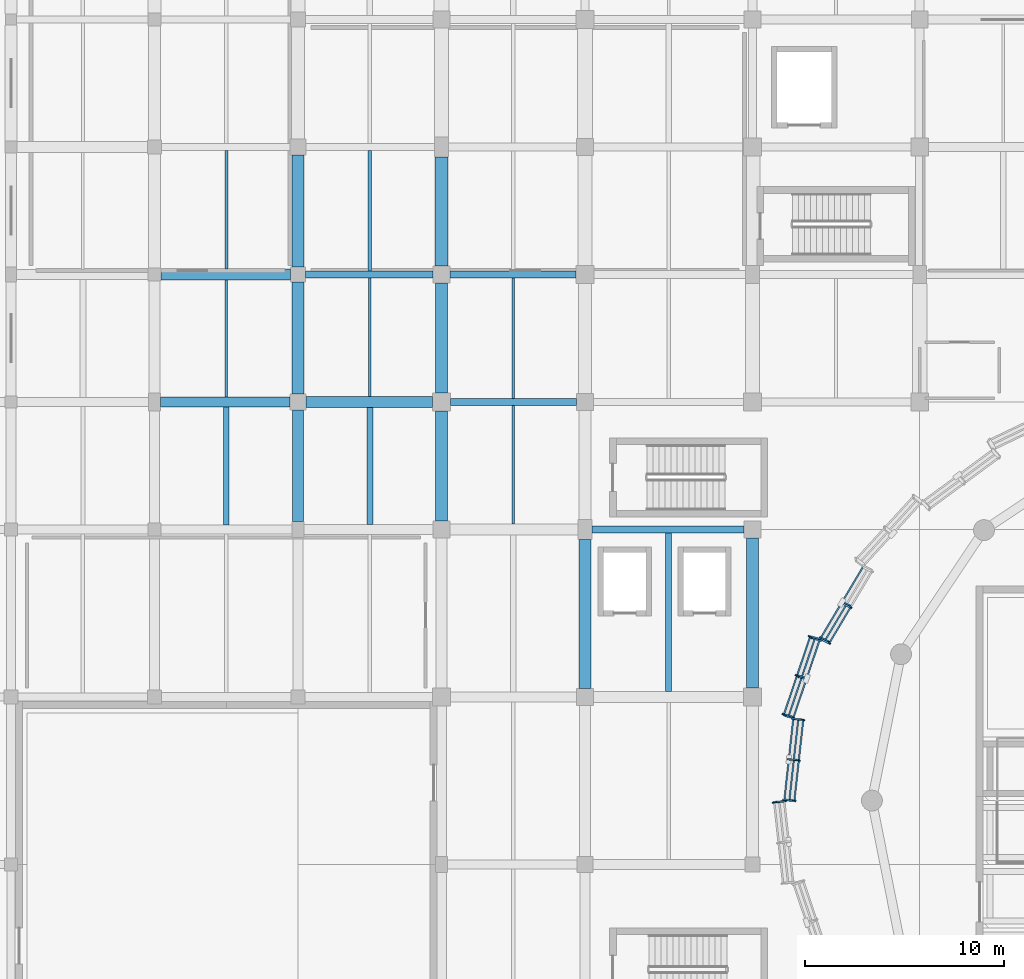
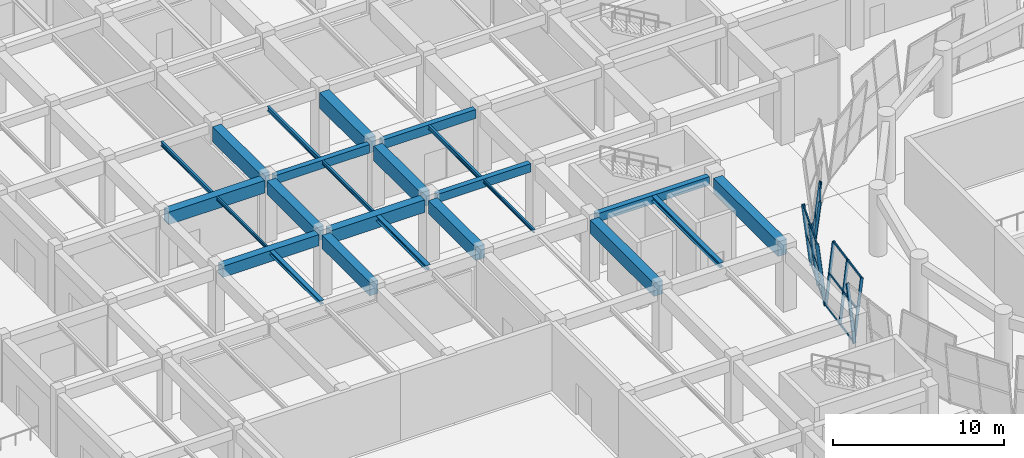
# One storey, part 29 of 72: 25 members, 24 beams, 4 elements without a shape of their own.
"""IFC4 building model written with IfcOpenShell, lengths in metres."""

from ifc_helpers import new_model, si_unit, direction, frame, origin, origin_2d, place, context, subcontext, project, spatial, rectangle, hollow_rectangle, i_section, extrude, material, material_profile, profile_set, type_object, element, aggregate, save


model = new_model("IFC4")

# Units and contexts
model_context = context("Model", 3, precision=1e-05, world=origin(), true_north=direction((0.0, 1.0)))
body_context = subcontext(model_context, "Body", "Model", "MODEL_VIEW")
ifc_project = project(units=[si_unit("LENGTHUNIT", "METRE"), si_unit("AREAUNIT", "SQUARE_METRE"), si_unit("VOLUMEUNIT", "CUBIC_METRE"), si_unit("PLANEANGLEUNIT", "RADIAN"), si_unit("MASSUNIT", "GRAM", prefix="KILO")], contexts=[model_context])

# Site, building, storey
site_placement = place(None, origin())
site = spatial("IfcSite", under=ifc_project, at=site_placement, CompositionType="ELEMENT")
building_placement = place(site_placement, origin())
building = spatial("IfcBuilding", under=site, at=building_placement, Name="Korsvaeld Concert Hall", CompositionType="ELEMENT")
storey_placement = place(building_placement, origin())
storey = spatial("IfcBuildingStorey", under=building, at=storey_placement, Name="L00", CompositionType="ELEMENT", Elevation=0.0)

# Beams
ifc_material_1 = material(Name="Concrete C35/45", Category="concrete")
ifc_material_profile_1 = material_profile(ifc_material_1, rectangle(XDim=0.35009765625, YDim=0.60009765625, at=origin_2d()), Name="RC 350x600")
ifc_profile_set_1 = profile_set([ifc_material_profile_1], Name="Concrete C35/45")
beam_type_1 = type_object("IfcBeamType", Name="BM-RC-350x600", PredefinedType="T_BEAM", material=ifc_profile_set_1)
beam_1_placement = place(storey_placement, frame((50.75, 76.800048828125, 4.139892578125), z_axis=(1.0, 0.0, 0.0), x_axis=(0.0, 1.0, 0.0)))
element("IfcBeam", 1, at=beam_1_placement, inside=storey, type_object=beam_type_1, Name="Primary girder 8-9/L L00", PredefinedType="T_BEAM", context=body_context, shape_type="SweptSolid", body=[
    extrude(rectangle(XDim=0.35009765625, YDim=0.60009765625, at=origin_2d()), origin(), (0.0, 0.0, 1.0), 7.625),
])
beam_2_placement = place(storey_placement, frame((43.64990234375, 83.199951171875, 4.139892578125), z_axis=(1.0, 0.0, 0.0), x_axis=(0.0, 1.0, 0.0)))
element("IfcBeam", 2, at=beam_2_placement, inside=storey, type_object=beam_type_1, Name="Primary girder 7-8/M L00", PredefinedType="T_BEAM", context=body_context, shape_type="SweptSolid", body=[
    extrude(rectangle(XDim=0.35009765625, YDim=0.60009765625, at=origin_2d()), origin(), (0.0, 0.0, 1.0), 6.3251953125),
])
beam_3_placement = place(storey_placement, frame((36.375, 89.60009765625, 4.139892578125), z_axis=(1.0, 0.0, 0.0), x_axis=(0.0, 1.0, 0.0)))
element("IfcBeam", 3, at=beam_3_placement, inside=storey, type_object=beam_type_1, Name="Primary girder 6-7/N L00", PredefinedType="T_BEAM", context=body_context, shape_type="SweptSolid", body=[
    extrude(rectangle(XDim=0.35009765625, YDim=0.60009765625, at=origin_2d()), origin(), (0.0, 0.0, 1.0), 6.39990234375),
])
ifc_material_profile_2 = material_profile(ifc_material_1, rectangle(XDim=0.35009765625, YDim=0.64990234375, at=origin_2d()), Name="RC 350x650")
ifc_profile_set_2 = profile_set([ifc_material_profile_2], Name="Concrete C35/45")
beam_type_2 = type_object("IfcBeamType", Name="BM-RC-350x650", PredefinedType="T_BEAM", material=ifc_profile_set_2)
beam_4_placement = place(storey_placement, frame((43.625, 89.60009765625, 4.114990234375), z_axis=(1.0, 0.0, 0.0), x_axis=(0.0, 1.0, 0.0)))
element("IfcBeam", 4, at=beam_4_placement, inside=storey, type_object=beam_type_2, Name="Primary girder 7-8/N L00", PredefinedType="T_BEAM", context=body_context, shape_type="SweptSolid", body=[
    extrude(rectangle(XDim=0.35009765625, YDim=0.64990234375, at=origin_2d()), origin(), (0.0, 0.0, 1.0), 6.324951171875),
])
ifc_material_2 = material(Name="Concrete C40/50", Category="concrete")
ifc_material_profile_3 = material_profile(ifc_material_2, rectangle(XDim=0.5, YDim=0.800048828125, at=origin_2d()), Name="RC 500x800")
ifc_profile_set_3 = profile_set([ifc_material_profile_3], Name="Concrete C40/50")
beam_type_3 = type_object("IfcBeamType", Name="BM-RC-500x800", PredefinedType="T_BEAM", material=ifc_profile_set_3)
beam_5_placement = place(storey_placement, frame((29.10009765625, 83.199951171875, 4.0400390625), z_axis=(1.0, 0.0, 0.0), x_axis=(0.0, 1.0, 0.0)))
element("IfcBeam", 5, at=beam_5_placement, inside=storey, type_object=beam_type_3, Name="Primary girder 5-6/M L00", PredefinedType="T_BEAM", context=body_context, shape_type="SweptSolid", body=[
    extrude(rectangle(XDim=0.5, YDim=0.800048828125, at=origin_2d()), origin(), (0.0, 0.0, 1.0), 6.5),
])
ifc_material_profile_4 = material_profile(ifc_material_2, rectangle(XDim=0.550048828125, YDim=0.89990234375, at=origin_2d()), Name="RC 550x900")
ifc_profile_set_4 = profile_set([ifc_material_profile_4], Name="Concrete C40/50")
beam_type_4 = type_object("IfcBeamType", Name="BM-RC-550x900", PredefinedType="T_BEAM", material=ifc_profile_set_4)
beam_6_placement = place(storey_placement, frame((36.39990234375, 83.199951171875, 3.989990234375), z_axis=(1.0, 0.0, 0.0), x_axis=(0.0, 1.0, 0.0)))
element("IfcBeam", 6, at=beam_6_placement, inside=storey, type_object=beam_type_4, Name="Primary girder 6-7/M L00", PredefinedType="T_BEAM", context=body_context, shape_type="SweptSolid", body=[
    extrude(rectangle(XDim=0.550048828125, YDim=0.89990234375, at=origin_2d()), origin(), (0.0, 0.0, 1.0), 6.35009765625),
])
beam_7_placement = place(storey_placement, frame((29.125, 89.60009765625, 3.989990234375), z_axis=(1.0, 0.0, 0.0), x_axis=(0.0, 1.0, 0.0)))
element("IfcBeam", 7, at=beam_7_placement, inside=storey, type_object=beam_type_4, Name="Primary girder 5-6/N L00", PredefinedType="T_BEAM", context=body_context, shape_type="SweptSolid", body=[
    extrude(rectangle(XDim=0.550048828125, YDim=0.89990234375, at=origin_2d()), origin(), (0.0, 0.0, 1.0), 6.5),
])
ifc_material_profile_5 = material_profile(ifc_material_2, rectangle(XDim=0.550048828125, YDim=0.949951171875, at=origin_2d()), Name="RC 550x950")
ifc_profile_set_5 = profile_set([ifc_material_profile_5], Name="Concrete C40/50")
beam_type_5 = type_object("IfcBeamType", Name="BM-RC-550x950", PredefinedType="T_BEAM", material=ifc_profile_set_5)
beam_8_placement = place(storey_placement, frame((36.0, 77.199951171875, 3.965087890625), z_axis=(0.0, 1.0, 0.0), x_axis=(-1.0, 0.0, 0.0)))
element("IfcBeam", 8, at=beam_8_placement, inside=storey, type_object=beam_type_5, Name="Primary girder 6/L-M L00", PredefinedType="T_BEAM", context=body_context, shape_type="SweptSolid", body=[
    extrude(rectangle(XDim=0.550048828125, YDim=0.949951171875, at=origin_2d()), origin(), (0.0, 0.0, 1.0), 5.60009765625),
])
ifc_material_profile_6 = material_profile(ifc_material_2, rectangle(XDim=0.60009765625, YDim=1.050048828125, at=origin_2d()), Name="RC 600x1050")
ifc_profile_set_6 = profile_set([ifc_material_profile_6], Name="Concrete C40/50")
beam_type_6 = type_object("IfcBeamType", Name="BM-RC-600x1050", PredefinedType="T_BEAM", material=ifc_profile_set_6)
beam_9_placement = place(storey_placement, frame((36.0, 89.97509765625, 3.9150390625), z_axis=(0.0, 1.0, 0.0), x_axis=(-1.0, 0.0, 0.0)))
element("IfcBeam", 9, at=beam_9_placement, inside=storey, type_object=beam_type_6, Name="Primary girder 6/N-P L00", PredefinedType="T_BEAM", context=body_context, shape_type="SweptSolid", body=[
    extrude(rectangle(XDim=0.60009765625, YDim=1.050048828125, at=origin_2d()), origin(), (0.0, 0.0, 1.0), 5.625),
])
beam_10_placement = place(storey_placement, frame((43.199951171875, 83.64990234375, 3.9150390625), z_axis=(0.0, 1.0, 0.0), x_axis=(-1.0, 0.0, 0.0)))
element("IfcBeam", 10, at=beam_10_placement, inside=storey, type_object=beam_type_6, Name="Primary girder 7/M-N L00", PredefinedType="T_BEAM", context=body_context, shape_type="SweptSolid", body=[
    extrude(rectangle(XDim=0.60009765625, YDim=1.050048828125, at=origin_2d()), origin(), (0.0, 0.0, 1.0), 5.525146484375),
])
beam_11_placement = place(storey_placement, frame((58.800048828125, 68.85009765625, 3.9150390625), z_axis=(0.0, 1.0, 0.0), x_axis=(-1.0, 0.0, 0.0)))
element("IfcBeam", 11, at=beam_11_placement, inside=storey, type_object=beam_type_6, Name="Primary girder 9/K-L L00", PredefinedType="T_BEAM", context=body_context, shape_type="SweptSolid", body=[
    extrude(rectangle(XDim=0.60009765625, YDim=1.050048828125, at=origin_2d()), origin(), (0.0, 0.0, 1.0), 7.52490234375),
])
ifc_material_profile_7 = material_profile(ifc_material_2, rectangle(XDim=0.60009765625, YDim=0.949951171875, at=origin_2d()), Name="RC 600x950")
ifc_profile_set_7 = profile_set([ifc_material_profile_7], Name="Concrete C40/50")
beam_type_7 = type_object("IfcBeamType", Name="BM-RC-600x950", PredefinedType="T_BEAM", material=ifc_profile_set_7)
beam_12_placement = place(storey_placement, frame((36.0, 83.60009765625, 3.965087890625), z_axis=(0.0, 1.0, 0.0), x_axis=(-1.0, 0.0, 0.0)))
element("IfcBeam", 12, at=beam_12_placement, inside=storey, type_object=beam_type_7, Name="Primary girder 6/M-N L00", PredefinedType="T_BEAM", context=body_context, shape_type="SweptSolid", body=[
    extrude(rectangle(XDim=0.60009765625, YDim=0.949951171875, at=origin_2d()), origin(), (0.0, 0.0, 1.0), 5.625),
])
beam_13_placement = place(storey_placement, frame((43.199951171875, 77.22509765625, 3.965087890625), z_axis=(0.0, 1.0, 0.0), x_axis=(-1.0, 0.0, 0.0)))
element("IfcBeam", 13, at=beam_13_placement, inside=storey, type_object=beam_type_7, Name="Primary girder 7/L-M L00", PredefinedType="T_BEAM", context=body_context, shape_type="SweptSolid", body=[
    extrude(rectangle(XDim=0.60009765625, YDim=0.949951171875, at=origin_2d()), origin(), (0.0, 0.0, 1.0), 5.52490234375),
])
beam_14_placement = place(storey_placement, frame((50.39990234375, 68.824951171875, 3.965087890625), z_axis=(0.0, 1.0, 0.0), x_axis=(-1.0, 0.0, 0.0)))
element("IfcBeam", 14, at=beam_14_placement, inside=storey, type_object=beam_type_7, Name="Primary girder 8/K-L L00", PredefinedType="T_BEAM", context=body_context, shape_type="SweptSolid", body=[
    extrude(rectangle(XDim=0.60009765625, YDim=0.949951171875, at=origin_2d()), origin(), (0.0, 0.0, 1.0), 7.47509765625),
])
ifc_material_profile_8 = material_profile(ifc_material_2, rectangle(XDim=0.64990234375, YDim=1.10009765625, at=origin_2d()), Name="RC 650x1100")
ifc_profile_set_8 = profile_set([ifc_material_profile_8], Name="Concrete C40/50")
beam_type_8 = type_object("IfcBeamType", Name="BM-RC-650x1100", PredefinedType="T_BEAM", material=ifc_profile_set_8)
beam_15_placement = place(storey_placement, frame((43.199951171875, 90.02490234375, 3.889892578125), z_axis=(0.0, 1.0, 0.0), x_axis=(-1.0, 0.0, 0.0)))
element("IfcBeam", 15, at=beam_15_placement, inside=storey, type_object=beam_type_8, Name="Primary girder 7/N-P L00", PredefinedType="T_BEAM", context=body_context, shape_type="SweptSolid", body=[
    extrude(rectangle(XDim=0.64990234375, YDim=1.10009765625, at=origin_2d()), origin(), (0.0, 0.0, 1.0), 5.47509765625),
])
ifc_material_3 = material(Name="Steel S355J2", Category="steel")
ifc_material_profile_9 = material_profile(ifc_material_3, i_section(OverallWidth=0.280029296875, OverallDepth=0.27001953125, WebThickness=0.008056640625, FlangeThickness=0.012939453125, FilletRadius=0.02392578125, at=origin_2d()), Name="HEA 280")
ifc_profile_set_9 = profile_set([ifc_material_profile_9], Name="Steel S355J2")
beam_type_9 = type_object("IfcBeamType", Name="BM-STL-HEA280", PredefinedType="BEAM", material=ifc_profile_set_9)
beam_16_placement = place(storey_placement, frame((32.39990234375, 77.02490234375, 4.304931640625), z_axis=(0.0, 1.0, 0.0), x_axis=(-1.0, 0.0, 0.0)))
element("IfcBeam", 16, at=beam_16_placement, inside=storey, type_object=beam_type_9, Name="Secondary steel floor beam 5-6/L L00", PredefinedType="BEAM", context=body_context, shape_type="SweptSolid", body=[
    extrude(i_section(OverallWidth=0.280029296875, OverallDepth=0.27001953125, WebThickness=0.008056640625, FlangeThickness=0.012939453125, FilletRadius=0.02392578125, at=origin_2d()), origin(), (0.0, 0.0, 1.0), 5.925048828125),
])
ifc_material_profile_10 = material_profile(ifc_material_3, i_section(OverallWidth=0.300048828125, OverallDepth=0.35009765625, WebThickness=0.010009765625, FlangeThickness=0.017578125, FilletRadius=0.027099609375, at=origin_2d()), Name="HEA 360")
ifc_profile_set_10 = profile_set([ifc_material_profile_10], Name="Steel S355J2")
beam_type_10 = type_object("IfcBeamType", Name="BM-STL-HEA360", PredefinedType="BEAM", material=ifc_profile_set_10)
beam_17_placement = place(storey_placement, frame((39.60009765625, 77.050048828125, 4.264892578125), z_axis=(0.0, 1.0, 0.0), x_axis=(-1.0, 0.0, 0.0)))
element("IfcBeam", 17, at=beam_17_placement, inside=storey, type_object=beam_type_10, Name="Secondary steel floor beam 6-7/L L00", PredefinedType="BEAM", context=body_context, shape_type="SweptSolid", body=[
    extrude(i_section(OverallWidth=0.300048828125, OverallDepth=0.35009765625, WebThickness=0.010009765625, FlangeThickness=0.017578125, FilletRadius=0.027099609375, at=origin_2d()), origin(), (0.0, 0.0, 1.0), 5.875),
])
beam_18_placement = place(storey_placement, frame((54.60009765625, 68.675048828125, 4.264892578125), z_axis=(0.0, 1.0, 0.0), x_axis=(-1.0, 0.0, 0.0)))
element("IfcBeam", 18, at=beam_18_placement, inside=storey, type_object=beam_type_10, Name="Secondary steel floor beam 8-9/K L00", PredefinedType="BEAM", context=body_context, shape_type="SweptSolid", body=[
    extrude(i_section(OverallWidth=0.300048828125, OverallDepth=0.35009765625, WebThickness=0.010009765625, FlangeThickness=0.017578125, FilletRadius=0.027099609375, at=origin_2d()), origin(), (0.0, 0.0, 1.0), 7.949951171875),
])
ifc_material_profile_11 = material_profile(ifc_material_3, i_section(OverallWidth=0.1201171875, OverallDepth=0.239990234375, WebThickness=0.006103515625, FlangeThickness=0.009765625, FilletRadius=0.014892578125, at=origin_2d()), Name="IPE 240")
ifc_profile_set_11 = profile_set([ifc_material_profile_11], Name="Steel S355J2")
beam_type_11 = type_object("IfcBeamType", Name="BM-STL-IPE240", PredefinedType="JOIST", material=ifc_profile_set_11)
beam_19_placement = place(storey_placement, frame((32.39990234375, 83.449951171875, 4.320068359375), z_axis=(0.0, 1.0, 0.0), x_axis=(-1.0, 0.0, 0.0)))
element("IfcBeam", 19, at=beam_19_placement, inside=storey, type_object=beam_type_11, Name="Secondary steel floor beam 5-6/M L00", PredefinedType="JOIST", context=body_context, shape_type="SweptSolid", body=[
    extrude(i_section(OverallWidth=0.1201171875, OverallDepth=0.239990234375, WebThickness=0.006103515625, FlangeThickness=0.009765625, FilletRadius=0.014892578125, at=origin_2d()), origin(), (0.0, 0.0, 1.0), 5.875),
])
beam_20_placement = place(storey_placement, frame((46.800048828125, 77.074951171875, 4.320068359375), z_axis=(0.0, 1.0, 0.0), x_axis=(-1.0, 0.0, 0.0)))
element("IfcBeam", 20, at=beam_20_placement, inside=storey, type_object=beam_type_11, Name="Secondary steel floor beam 7-8/L L00", PredefinedType="JOIST", context=body_context, shape_type="SweptSolid", body=[
    extrude(i_section(OverallWidth=0.1201171875, OverallDepth=0.239990234375, WebThickness=0.006103515625, FlangeThickness=0.009765625, FilletRadius=0.014892578125, at=origin_2d()), origin(), (0.0, 0.0, 1.0), 5.949951171875),
])
ifc_material_profile_12 = material_profile(ifc_material_3, i_section(OverallWidth=0.135009765625, OverallDepth=0.27001953125, WebThickness=0.006591796875, FlangeThickness=0.01025390625, FilletRadius=0.014892578125, at=origin_2d()), Name="IPE 270")
ifc_profile_set_12 = profile_set([ifc_material_profile_12], Name="Steel S355J2")
beam_type_12 = type_object("IfcBeamType", Name="BM-STL-IPE270", PredefinedType="JOIST", material=ifc_profile_set_12)
beam_21_placement = place(storey_placement, frame((39.60009765625, 83.47509765625, 4.304931640625), z_axis=(0.0, 1.0, 0.0), x_axis=(-1.0, 0.0, 0.0)))
element("IfcBeam", 21, at=beam_21_placement, inside=storey, type_object=beam_type_12, Name="Secondary steel floor beam 6-7/M L00", PredefinedType="JOIST", context=body_context, shape_type="SweptSolid", body=[
    extrude(i_section(OverallWidth=0.135009765625, OverallDepth=0.27001953125, WebThickness=0.006591796875, FlangeThickness=0.01025390625, FilletRadius=0.014892578125, at=origin_2d()), origin(), (0.0, 0.0, 1.0), 5.949951171875),
])
ifc_material_profile_13 = material_profile(ifc_material_3, i_section(OverallWidth=0.14990234375, OverallDepth=0.300048828125, WebThickness=0.007080078125, FlangeThickness=0.0107421875, FilletRadius=0.014892578125, at=origin_2d()), Name="IPE 300")
ifc_profile_set_13 = profile_set([ifc_material_profile_13], Name="Steel S355J2")
beam_type_13 = type_object("IfcBeamType", Name="BM-STL-IPE300", PredefinedType="JOIST", material=ifc_profile_set_13)
beam_22_placement = place(storey_placement, frame((32.39990234375, 89.875, 4.2900390625), z_axis=(0.0, 1.0, 0.0), x_axis=(-1.0, 0.0, 0.0)))
element("IfcBeam", 22, at=beam_22_placement, inside=storey, type_object=beam_type_13, Name="Secondary steel floor beam 5-6/N L00", PredefinedType="JOIST", context=body_context, shape_type="SweptSolid", body=[
    extrude(i_section(OverallWidth=0.14990234375, OverallDepth=0.300048828125, WebThickness=0.007080078125, FlangeThickness=0.0107421875, FilletRadius=0.014892578125, at=origin_2d()), origin(), (0.0, 0.0, 1.0), 5.949951171875),
])
beam_23_placement = place(storey_placement, frame((46.800048828125, 83.375, 4.2900390625), z_axis=(0.0, 1.0, 0.0), x_axis=(-1.0, 0.0, 0.0)))
element("IfcBeam", 23, at=beam_23_placement, inside=storey, type_object=beam_type_13, Name="Secondary steel floor beam 7-8/M L00", PredefinedType="JOIST", context=body_context, shape_type="SweptSolid", body=[
    extrude(i_section(OverallWidth=0.14990234375, OverallDepth=0.300048828125, WebThickness=0.007080078125, FlangeThickness=0.0107421875, FilletRadius=0.014892578125, at=origin_2d()), origin(), (0.0, 0.0, 1.0), 6.050048828125),
])
ifc_material_profile_14 = material_profile(ifc_material_3, i_section(OverallWidth=0.159912109375, OverallDepth=0.330078125, WebThickness=0.007568359375, FlangeThickness=0.011474609375, FilletRadius=0.01806640625, at=origin_2d()), Name="IPE 330")
ifc_profile_set_14 = profile_set([ifc_material_profile_14], Name="Steel S355J2")
beam_type_14 = type_object("IfcBeamType", Name="BM-STL-IPE330", PredefinedType="BEAM", material=ifc_profile_set_14)
beam_24_placement = place(storey_placement, frame((39.60009765625, 89.77490234375, 4.27490234375), z_axis=(0.0, 1.0, 0.0), x_axis=(-1.0, 0.0, 0.0)))
element("IfcBeam", 24, at=beam_24_placement, inside=storey, type_object=beam_type_14, Name="Secondary steel floor beam 6-7/N L00", PredefinedType="BEAM", context=body_context, shape_type="SweptSolid", body=[
    extrude(i_section(OverallWidth=0.159912109375, OverallDepth=0.330078125, WebThickness=0.007568359375, FlangeThickness=0.011474609375, FilletRadius=0.01806640625, at=origin_2d()), origin(), (0.0, 0.0, 1.0), 6.050048828125),
])

# Curtain wall, members
ifc_material_4 = material(Name="Anodised bronze and ceramic-fritted safety glass", Category="glass")
curtain_wall_type_1 = type_object("IfcCurtainWallType", Name="CW-TYPE-06", PredefinedType="USERDEFINED", material=ifc_material_4)
curtain_wall_1_placement = place(storey_placement, origin())
curtain_wall_1 = element("IfcCurtainWall", 25, at=curtain_wall_1_placement, inside=storey, type_object=curtain_wall_type_1, Name="Crystal curtain-wall facet L00 F14", ObjectType="CURTAIN WALL", PredefinedType="USERDEFINED")
ifc_material_5 = material(Name="Anodised architectural bronze aluminium", Category="aluminium")
ifc_material_profile_15 = material_profile(ifc_material_5, hollow_rectangle(XDim=0.074951171875, YDim=0.179931640625, WallThickness=0.0048828125, at=origin_2d()), Name="CWM 180x75x5")
ifc_profile_set_15 = profile_set([ifc_material_profile_15], Name="Anodised architectural bronze aluminium")
member_type_1 = type_object("IfcMemberType", Name="CWM-BRONZE-180x75", PredefinedType="MULLION", material=ifc_profile_set_15)
member_1_placement = place(storey_placement, frame((63.286865234375, 73.1455078125, 0.0), z_axis=(0.102064294294, -0.049001690364, 0.993570185831), x_axis=(0.829955472375, 0.554817257188, -0.057894084342)))
member_1 = element("IfcMember", 26, at=member_1_placement, type_object=member_type_1, Name="CW-CRYS-L00-F14 crystal mullion 2", PredefinedType="MULLION", context=body_context, shape_type="SweptSolid", body=[
    extrude(hollow_rectangle(XDim=0.074951171875, YDim=0.179931640625, WallThickness=0.0048828125, at=origin_2d()), origin(), (0.0, 0.0, 1.0), 4.509033203125),
])
member_2_placement = place(storey_placement, frame((62.215576171875, 71.34521484375, 0.0), z_axis=(0.102064294294, -0.049001690364, 0.993570185831), x_axis=(0.829955472375, 0.554817257188, -0.057894084342)))
member_2 = element("IfcMember", 27, at=member_2_placement, type_object=member_type_1, Name="CW-CRYS-L00-F14 crystal mullion 3", PredefinedType="MULLION", context=body_context, shape_type="SweptSolid", body=[
    extrude(hollow_rectangle(XDim=0.074951171875, YDim=0.179931640625, WallThickness=0.0048828125, at=origin_2d()), origin(), (0.0, 0.0, 1.0), 4.509033203125),
])

curtain_wall_type_2 = type_object("IfcCurtainWallType", Name="CW-TYPE-08", PredefinedType="USERDEFINED", material=ifc_material_4)
curtain_wall_2_placement = place(storey_placement, origin())
curtain_wall_2 = element("IfcCurtainWall", 28, at=curtain_wall_2_placement, inside=storey, type_object=curtain_wall_type_2, Name="Crystal curtain-wall facet L00 F16", ObjectType="CURTAIN WALL", PredefinedType="USERDEFINED")
member_3_placement = place(storey_placement, frame((60.849365234375, 67.298583984375, 0.0), z_axis=(0.112785024271, -0.009962767386, 0.993569464892), x_axis=(0.195342682506, 0.980657399627, -0.012341027037)))
member_3 = element("IfcMember", 29, at=member_3_placement, type_object=member_type_1, Name="CW-CRYS-L00-F16 crystal mullion 1", PredefinedType="MULLION", context=body_context, shape_type="SweptSolid", body=[
    extrude(hollow_rectangle(XDim=0.074951171875, YDim=0.179931640625, WallThickness=0.0048828125, at=origin_2d()), origin(), (0.0, 0.0, 1.0), 4.509033203125),
])
member_4_placement = place(storey_placement, frame((60.626708984375, 65.26806640625, 0.0), z_axis=(0.112784963265, -0.010016907443, 0.993568927466), x_axis=(0.195809728065, 0.980564244075, -0.012341541058)))
member_4 = element("IfcMember", 30, at=member_4_placement, type_object=member_type_1, Name="CW-CRYS-L00-F16 crystal mullion 2", PredefinedType="MULLION", context=body_context, shape_type="SweptSolid", body=[
    extrude(hollow_rectangle(XDim=0.074951171875, YDim=0.179931640625, WallThickness=0.0048828125, at=origin_2d()), origin(), (0.0, 0.0, 1.0), 4.509033203125),
])
member_5_placement = place(storey_placement, frame((60.404052734375, 63.2373046875, 0.0), z_axis=(0.112785024271, -0.009962767386, 0.993569464892), x_axis=(0.195342682506, 0.980657399627, -0.012341027037)))
member_5 = element("IfcMember", 31, at=member_5_placement, type_object=member_type_1, Name="CW-CRYS-L00-F16 crystal mullion 3", PredefinedType="MULLION", context=body_context, shape_type="SweptSolid", body=[
    extrude(hollow_rectangle(XDim=0.074951171875, YDim=0.179931640625, WallThickness=0.0048828125, at=origin_2d()), origin(), (0.0, 0.0, 1.0), 4.509033203125),
])

curtain_wall_type_3 = type_object("IfcCurtainWallType", Name="CW-TYPE-07", PredefinedType="USERDEFINED", material=ifc_material_4)
curtain_wall_3_placement = place(storey_placement, origin())
curtain_wall_3 = element("IfcCurtainWall", 32, at=curtain_wall_3_placement, inside=storey, type_object=curtain_wall_type_3, Name="Crystal curtain-wall facet L00 F15", ObjectType="CURTAIN WALL", PredefinedType="USERDEFINED")
ifc_material_profile_16 = material_profile(ifc_material_5, hollow_rectangle(XDim=0.074951171875, YDim=0.219970703125, WallThickness=0.006103515625, at=origin_2d()), Name="CWM 220x75x6")
ifc_profile_set_16 = profile_set([ifc_material_profile_16], Name="Anodised architectural bronze aluminium")
member_type_2 = type_object("IfcMemberType", Name="CWM-BRONZE-220x75", PredefinedType="MULLION", material=ifc_profile_set_16)
member_6_placement = place(storey_placement, frame((62.184326171875, 71.27734375, 0.0), z_axis=(-0.109211736062, 0.029780096596, 0.993572313701), x_axis=(-0.555917957022, -0.830447902565, -0.036214723319)))
member_6 = element("IfcMember", 33, at=member_6_placement, type_object=member_type_2, Name="CW-CRYS-L00-F15 crystal mullion 1", PredefinedType="MULLION", context=body_context, shape_type="SweptSolid", body=[
    extrude(hollow_rectangle(XDim=0.074951171875, YDim=0.219970703125, WallThickness=0.006103515625, at=origin_2d()), origin(), (0.0, 0.0, 1.0), 4.509033203125),
])
member_7_placement = place(storey_placement, frame((61.52490234375, 69.324462890625, 0.0), z_axis=(-0.109211912002, 0.029725998854, 0.993573914346), x_axis=(-0.555535114655, -0.830704252875, -0.036210228416)))
member_7 = element("IfcMember", 34, at=member_7_placement, type_object=member_type_2, Name="CW-CRYS-L00-F15 crystal mullion 2", PredefinedType="MULLION", context=body_context, shape_type="SweptSolid", body=[
    extrude(hollow_rectangle(XDim=0.074951171875, YDim=0.219970703125, WallThickness=0.006103515625, at=origin_2d()), origin(), (0.0, 0.0, 1.0), 4.509033203125),
])
member_8_placement = place(storey_placement, frame((60.865478515625, 67.371337890625, 0.0), z_axis=(-0.109211736062, 0.029780096596, 0.993572313701), x_axis=(-0.555917957022, -0.830447902565, -0.036214723319)))
member_8 = element("IfcMember", 35, at=member_8_placement, type_object=member_type_2, Name="CW-CRYS-L00-F15 crystal mullion 3", PredefinedType="MULLION", context=body_context, shape_type="SweptSolid", body=[
    extrude(hollow_rectangle(XDim=0.074951171875, YDim=0.219970703125, WallThickness=0.006103515625, at=origin_2d()), origin(), (0.0, 0.0, 1.0), 4.509033203125),
])

# Curtain wall, member
curtain_wall_type_4 = type_object("IfcCurtainWallType", Name="CW-TYPE-01", PredefinedType="USERDEFINED", material=ifc_material_4)
curtain_wall_4_placement = place(storey_placement, origin())
curtain_wall_4 = element("IfcCurtainWall", 36, at=curtain_wall_4_placement, inside=storey, type_object=curtain_wall_type_4, Name="Crystal curtain-wall facet L00 F17", ObjectType="CURTAIN WALL", PredefinedType="USERDEFINED")
member_9_placement = place(storey_placement, frame((60.404052734375, 63.162841796875, 0.0), z_axis=(-0.112731506084, -0.0100169686, 0.993574993584), x_axis=(0.19585188799, -0.980555897204, 0.012335737864)))
member_9 = element("IfcMember", 37, at=member_9_placement, type_object=member_type_2, Name="CW-CRYS-L00-F17 crystal mullion 1", PredefinedType="MULLION", context=body_context, shape_type="SweptSolid", body=[
    extrude(hollow_rectangle(XDim=0.074951171875, YDim=0.219970703125, WallThickness=0.006103515625, at=origin_2d()), origin(), (0.0, 0.0, 1.0), 4.509033203125),
])
aggregate(curtain_wall_4, [member_9])

# Member
ifc_material_profile_17 = material_profile(ifc_material_5, hollow_rectangle(XDim=0.074951171875, YDim=0.14990234375, WallThickness=0.0048828125, at=origin_2d()), Name="CWT 150x75x5")
ifc_profile_set_17 = profile_set([ifc_material_profile_17], Name="Anodised architectural bronze aluminium")
member_type_3 = type_object("IfcMemberType", Name="CWT-BRONZE-150x75", PredefinedType="USERDEFINED", material=ifc_profile_set_17)
member_10_placement = place(storey_placement, frame((64.342041015625, 74.912109375, 0.030029296875), z_axis=(-0.511381861684, -0.859353589357, 0.0), x_axis=(0.859353589357, -0.511381861684, 0.0)))
member_10 = element("IfcMember", 38, at=member_10_placement, type_object=member_type_3, Name="CW-CRYS-L00-F14 crystal transom 1.1", ObjectType="TRANSOM", PredefinedType="USERDEFINED", context=body_context, shape_type="SweptSolid", body=[
    extrude(hollow_rectangle(XDim=0.074951171875, YDim=0.14990234375, WallThickness=0.0048828125, at=origin_2d()), origin(), (0.0, 0.0, 1.0), 2.02001953125),
])

member_11_placement = place(storey_placement, frame((63.270751953125, 73.11181640625, 0.030029296875), z_axis=(-0.511381861684, -0.859353589357, 0.0), x_axis=(0.859353589357, -0.511381861684, 0.0)))
member_11 = element("IfcMember", 39, at=member_11_placement, type_object=member_type_3, Name="CW-CRYS-L00-F14 crystal transom 2.1", ObjectType="TRANSOM", PredefinedType="USERDEFINED", context=body_context, shape_type="SweptSolid", body=[
    extrude(hollow_rectangle(XDim=0.074951171875, YDim=0.14990234375, WallThickness=0.0048828125, at=origin_2d()), origin(), (0.0, 0.0, 1.0), 2.02001953125),
])

member_12_placement = place(storey_placement, frame((63.497802734375, 73.002685546875, 2.239990234375), z_axis=(-0.511381861684, -0.859353589357, 0.0), x_axis=(0.859353589357, -0.511381861684, 0.0)))
member_12 = element("IfcMember", 40, at=member_12_placement, type_object=member_type_3, Name="CW-CRYS-L00-F14 crystal transom 2.2", ObjectType="TRANSOM", PredefinedType="USERDEFINED", context=body_context, shape_type="SweptSolid", body=[
    extrude(hollow_rectangle(XDim=0.074951171875, YDim=0.14990234375, WallThickness=0.0048828125, at=origin_2d()), origin(), (0.0, 0.0, 1.0), 2.02001953125),
])

member_13_placement = place(storey_placement, frame((63.724609375, 72.893798828125, 4.449951171875), z_axis=(-0.511292595627, -0.859406703288, 0.0), x_axis=(0.859406703288, -0.511292595627, 0.0)))
member_13 = element("IfcMember", 41, at=member_13_placement, type_object=member_type_3, Name="CW-CRYS-L00-F14 crystal transom 2.3", ObjectType="TRANSOM", PredefinedType="USERDEFINED", context=body_context, shape_type="SweptSolid", body=[
    extrude(hollow_rectangle(XDim=0.074951171875, YDim=0.14990234375, WallThickness=0.0048828125, at=origin_2d()), origin(), (0.0, 0.0, 1.0), 2.019775390625),
])

aggregate(curtain_wall_1, [member_1, member_2, member_10, member_11, member_12, member_13])

member_14_placement = place(storey_placement, frame((62.169189453125, 71.24267578125, 0.030029296875), z_axis=(-0.319949676143, -0.947434538497, 0.0), x_axis=(0.947434538497, -0.319949676143, 0.0)))
member_14 = element("IfcMember", 42, at=member_14_placement, type_object=member_type_3, Name="CW-CRYS-L00-F15 crystal transom 1.1", ObjectType="TRANSOM", PredefinedType="USERDEFINED", context=body_context, shape_type="SweptSolid", body=[
    extrude(hollow_rectangle(XDim=0.074951171875, YDim=0.14990234375, WallThickness=0.0048828125, at=origin_2d()), origin(), (0.0, 0.0, 1.0), 1.986328125),
])

member_15_placement = place(storey_placement, frame((61.92626953125, 71.308837890625, 2.239990234375), z_axis=(-0.319949676143, -0.947434538497, 0.0), x_axis=(0.947434538497, -0.319949676143, 0.0)))
member_15 = element("IfcMember", 43, at=member_15_placement, type_object=member_type_3, Name="CW-CRYS-L00-F15 crystal transom 1.2", ObjectType="TRANSOM", PredefinedType="USERDEFINED", context=body_context, shape_type="SweptSolid", body=[
    extrude(hollow_rectangle(XDim=0.074951171875, YDim=0.14990234375, WallThickness=0.0048828125, at=origin_2d()), origin(), (0.0, 0.0, 1.0), 1.986328125),
])

member_16_placement = place(storey_placement, frame((61.683349609375, 71.375244140625, 4.449951171875), z_axis=(-0.319912420616, -0.947447118912, 0.0), x_axis=(0.947447118912, -0.319912420616, 0.0)))
member_16 = element("IfcMember", 44, at=member_16_placement, type_object=member_type_3, Name="CW-CRYS-L00-F15 crystal transom 1.3", ObjectType="TRANSOM", PredefinedType="USERDEFINED", context=body_context, shape_type="SweptSolid", body=[
    extrude(hollow_rectangle(XDim=0.074951171875, YDim=0.14990234375, WallThickness=0.0048828125, at=origin_2d()), origin(), (0.0, 0.0, 1.0), 1.986572265625),
])

member_17_placement = place(storey_placement, frame((61.509765625, 69.289794921875, 0.030029296875), z_axis=(-0.319949676143, -0.947434538497, 0.0), x_axis=(0.947434538497, -0.319949676143, 0.0)))
member_17 = element("IfcMember", 45, at=member_17_placement, type_object=member_type_3, Name="CW-CRYS-L00-F15 crystal transom 2.1", ObjectType="TRANSOM", PredefinedType="USERDEFINED", context=body_context, shape_type="SweptSolid", body=[
    extrude(hollow_rectangle(XDim=0.074951171875, YDim=0.14990234375, WallThickness=0.0048828125, at=origin_2d()), origin(), (0.0, 0.0, 1.0), 1.986328125),
])

member_18_placement = place(storey_placement, frame((61.2666015625, 69.35595703125, 2.239990234375), z_axis=(-0.319839336506, -0.947471793155, 0.0), x_axis=(0.947471793155, -0.319839336506, 0.0)))
member_18 = element("IfcMember", 46, at=member_18_placement, type_object=member_type_3, Name="CW-CRYS-L00-F15 crystal transom 2.2", ObjectType="TRANSOM", PredefinedType="USERDEFINED", context=body_context, shape_type="SweptSolid", body=[
    extrude(hollow_rectangle(XDim=0.074951171875, YDim=0.14990234375, WallThickness=0.0048828125, at=origin_2d()), origin(), (0.0, 0.0, 1.0), 1.986083984375),
])

member_19_placement = place(storey_placement, frame((61.023681640625, 69.422119140625, 4.449951171875), z_axis=(-0.319839336506, -0.947471793155, 0.0), x_axis=(0.947471793155, -0.319839336506, 0.0)))
member_19 = element("IfcMember", 47, at=member_19_placement, type_object=member_type_3, Name="CW-CRYS-L00-F15 crystal transom 2.3", ObjectType="TRANSOM", PredefinedType="USERDEFINED", context=body_context, shape_type="SweptSolid", body=[
    extrude(hollow_rectangle(XDim=0.074951171875, YDim=0.14990234375, WallThickness=0.0048828125, at=origin_2d()), origin(), (0.0, 0.0, 1.0), 1.986083984375),
])

aggregate(curtain_wall_3, [member_6, member_7, member_8, member_14, member_15, member_16, member_17, member_18, member_19])

member_20_placement = place(storey_placement, frame((60.8486328125, 67.260986328125, 0.030029296875), z_axis=(-0.108933482058, -0.994049041289, 0.0), x_axis=(0.994049041289, -0.108933482058, 0.0)))
member_20 = element("IfcMember", 48, at=member_20_placement, type_object=member_type_3, Name="CW-CRYS-L00-F16 crystal transom 1.1", ObjectType="TRANSOM", PredefinedType="USERDEFINED", context=body_context, shape_type="SweptSolid", body=[
    extrude(hollow_rectangle(XDim=0.074951171875, YDim=0.14990234375, WallThickness=0.0048828125, at=origin_2d()), origin(), (0.0, 0.0, 1.0), 1.9677734375),
])

member_21_placement = place(storey_placement, frame((61.099609375, 67.23876953125, 2.239990234375), z_axis=(-0.10905607732, -0.99403559896, 0.0), x_axis=(0.99403559896, -0.10905607732, 0.0)))
member_21 = element("IfcMember", 49, at=member_21_placement, type_object=member_type_3, Name="CW-CRYS-L00-F16 crystal transom 1.2", ObjectType="TRANSOM", PredefinedType="USERDEFINED", context=body_context, shape_type="SweptSolid", body=[
    extrude(hollow_rectangle(XDim=0.074951171875, YDim=0.14990234375, WallThickness=0.0048828125, at=origin_2d()), origin(), (0.0, 0.0, 1.0), 1.9677734375),
])

member_22_placement = place(storey_placement, frame((61.350341796875, 67.216552734375, 4.449951171875), z_axis=(-0.108933482058, -0.994049041289, 0.0), x_axis=(0.994049041289, -0.108933482058, 0.0)))
member_22 = element("IfcMember", 50, at=member_22_placement, type_object=member_type_3, Name="CW-CRYS-L00-F16 crystal transom 1.3", ObjectType="TRANSOM", PredefinedType="USERDEFINED", context=body_context, shape_type="SweptSolid", body=[
    extrude(hollow_rectangle(XDim=0.074951171875, YDim=0.14990234375, WallThickness=0.0048828125, at=origin_2d()), origin(), (0.0, 0.0, 1.0), 1.9677734375),
])

member_23_placement = place(storey_placement, frame((60.6259765625, 65.23046875, 0.030029296875), z_axis=(-0.108920048755, -0.994050513294, 0.0), x_axis=(0.994050513294, -0.108920048755, 0.0)))
member_23 = element("IfcMember", 51, at=member_23_placement, type_object=member_type_3, Name="CW-CRYS-L00-F16 crystal transom 2.1", ObjectType="TRANSOM", PredefinedType="USERDEFINED", context=body_context, shape_type="SweptSolid", body=[
    extrude(hollow_rectangle(XDim=0.074951171875, YDim=0.14990234375, WallThickness=0.0048828125, at=origin_2d()), origin(), (0.0, 0.0, 1.0), 1.968017578125),
])

member_24_placement = place(storey_placement, frame((60.876953125, 65.208251953125, 2.239990234375), z_axis=(-0.109042629262, -0.99403707426, 0.0), x_axis=(0.99403707426, -0.109042629262, 0.0)))
member_24 = element("IfcMember", 52, at=member_24_placement, type_object=member_type_3, Name="CW-CRYS-L00-F16 crystal transom 2.2", ObjectType="TRANSOM", PredefinedType="USERDEFINED", context=body_context, shape_type="SweptSolid", body=[
    extrude(hollow_rectangle(XDim=0.074951171875, YDim=0.14990234375, WallThickness=0.0048828125, at=origin_2d()), origin(), (0.0, 0.0, 1.0), 1.968017578125),
])

member_25_placement = place(storey_placement, frame((61.127685546875, 65.18603515625, 4.449951171875), z_axis=(-0.108933482058, -0.994049041289, 0.0), x_axis=(0.994049041289, -0.108933482058, 0.0)))
member_25 = element("IfcMember", 53, at=member_25_placement, type_object=member_type_3, Name="CW-CRYS-L00-F16 crystal transom 2.3", ObjectType="TRANSOM", PredefinedType="USERDEFINED", context=body_context, shape_type="SweptSolid", body=[
    extrude(hollow_rectangle(XDim=0.074951171875, YDim=0.14990234375, WallThickness=0.0048828125, at=origin_2d()), origin(), (0.0, 0.0, 1.0), 1.9677734375),
])

aggregate(curtain_wall_2, [member_3, member_4, member_5, member_20, member_21, member_22, member_23, member_24, member_25])

save(model, "model.ifc")
